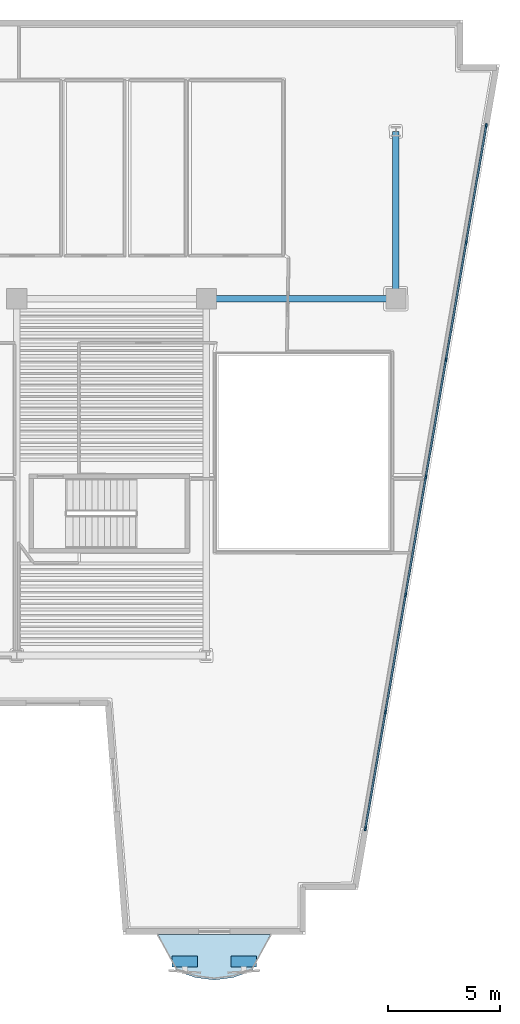
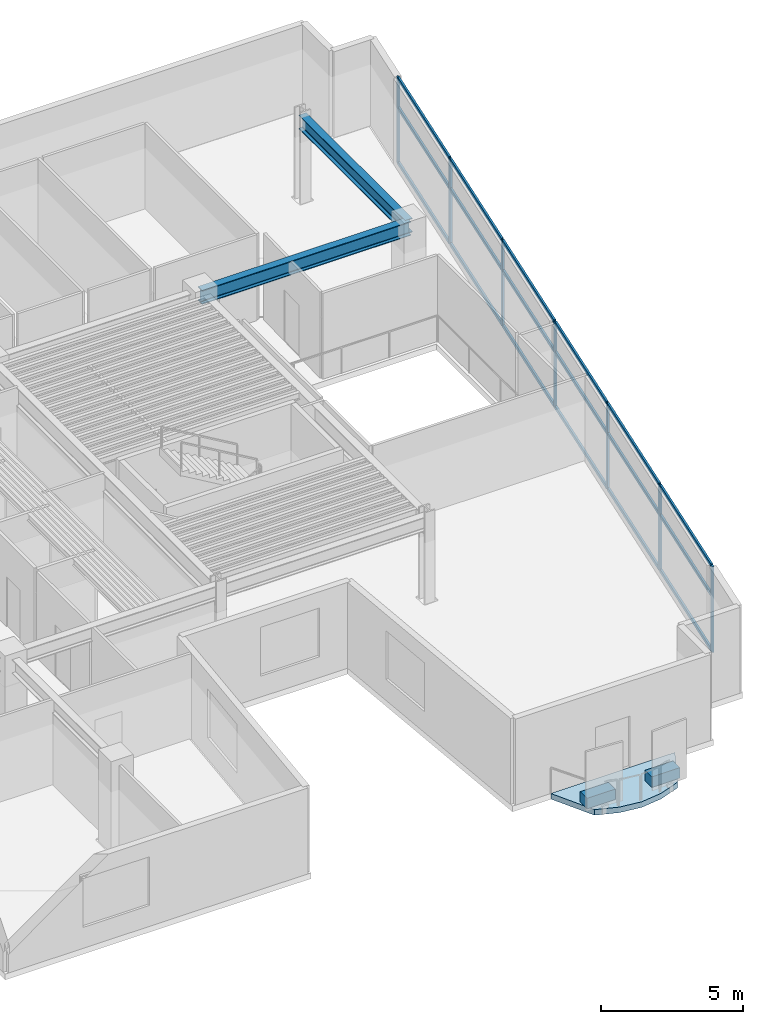
# One storey, part 2 of 10: 25 members, 2 beams, 2 plates, 1 slab, 1 element without a shape of its own.
"""IFC4 building model written with IfcOpenShell, lengths in metres."""

from ifc_helpers import new_model, si_unit, direction, frame, origin, origin_2d, place, context, subcontext, project, spatial, polyline, rectangle, i_section, outline, extrude, material, layer, layer_set, material_profile, profile_set, type_object, element, aggregate, save


model = new_model("IFC4")

# Units and contexts
model_context = context("Model", 3, precision=1e-05, world=origin(), true_north=direction((0.0, 1.0)))
body_context = subcontext(model_context, "Body", "Model", "MODEL_VIEW")
ifc_project = project(units=[si_unit("LENGTHUNIT", "METRE"), si_unit("AREAUNIT", "SQUARE_METRE"), si_unit("VOLUMEUNIT", "CUBIC_METRE"), si_unit("PLANEANGLEUNIT", "RADIAN"), si_unit("MASSUNIT", "GRAM", prefix="KILO")], contexts=[model_context])

# Site, building, storey
site_placement = place(None, origin())
site = spatial("IfcSite", under=ifc_project, at=site_placement, CompositionType="ELEMENT")
building_placement = place(site_placement, origin())
building = spatial("IfcBuilding", under=site, at=building_placement, Name="Caeloran Harvest Quay", CompositionType="ELEMENT")
storey_placement = place(building_placement, frame((0.0, 0.0, 187.699951171875)))
storey = spatial("IfcBuildingStorey", under=building, at=storey_placement, Name="L44", CompositionType="ELEMENT", Elevation=187.699951171875)

# Beams
ifc_material_1 = material(Name="Steel S355J2", Category="steel")
ifc_material_profile_1 = material_profile(ifc_material_1, i_section(OverallWidth=0.300048828125, OverallDepth=0.60009765625, WebThickness=0.015380859375, FlangeThickness=0.030029296875, FilletRadius=0.027099609375, at=origin_2d()), Name="HE 600 B")
ifc_profile_set_1 = profile_set([ifc_material_profile_1], Name="Steel S355J2")
beam_type = type_object("IfcBeamType", Name="BM-PG-3-HE_600_B", PredefinedType="BEAM", material=ifc_profile_set_1)
beam_1_placement = place(storey_placement, frame((34.0, 31.0, 3.400146484375), z_axis=(1.0, 0.0, 0.0), x_axis=(0.0, 1.0, 0.0)))
element("IfcBeam", 1, at=beam_1_placement, inside=storey, type_object=beam_type, Name="L44 Primary East-West Girder Y=31.0", PredefinedType="BEAM", context=body_context, shape_type="SweptSolid", body=[
    extrude(i_section(OverallWidth=0.300048828125, OverallDepth=0.60009765625, WebThickness=0.015380859375, FlangeThickness=0.030029296875, FilletRadius=0.027099609375, at=origin_2d()), origin(), (0.0, 0.0, 1.0), 8.5),
])
beam_2_placement = place(storey_placement, frame((42.5, 31.0, 3.400146484375), z_axis=(0.0, 1.0, 0.0), x_axis=(-1.0, 0.0, 0.0)))
element("IfcBeam", 2, at=beam_2_placement, inside=storey, type_object=beam_type, Name="L44 Primary North-South Girder X=42.5", PredefinedType="BEAM", context=body_context, shape_type="SweptSolid", body=[
    extrude(i_section(OverallWidth=0.300048828125, OverallDepth=0.60009765625, WebThickness=0.015380859375, FlangeThickness=0.030029296875, FilletRadius=0.027099609375, at=origin_2d()), origin(), (0.0, 0.0, 1.0), 7.5),
])

# Curtain wall, members
ifc_material_2 = material(Name="Aluminium 6063-T6 and Low-E Glazing", Category="aluminium")
ifc_layer_1 = layer(ifc_material_2, 0.2099609375, Name="Aluminium 6063-T6 and Low-E Glazing")
ifc_layer_set_1 = layer_set([ifc_layer_1], Name="Aluminium 6063-T6 and Low-E Glazing")
curtain_wall_type = type_object("IfcCurtainWallType", Name="CW-SYS-CW-4", PredefinedType="USERDEFINED", material=ifc_layer_set_1)
curtain_wall_placement = place(storey_placement, origin())
curtain_wall = element("IfcCurtainWall", 3, at=curtain_wall_placement, inside=storey, type_object=curtain_wall_type, Name="L44 Unitised Curtain Wall CW-4 Run 9", ObjectType="CURTAIN_WALL", PredefinedType="USERDEFINED")
ifc_material_3 = material(Name="Aluminium 6063-T6", Category="aluminium")
ifc_material_profile_2 = material_profile(ifc_material_3, rectangle(XDim=0.080078125, YDim=0.179931640625, at=origin_2d()), Name="CW-MULLION-180")
ifc_profile_set_2 = profile_set([ifc_material_profile_2], Name="Aluminium 6063-T6")
member_type_1 = type_object("IfcMemberType", Name="CW-MULLION-180", PredefinedType="MULLION", material=ifc_profile_set_2)
member_1_placement = place(storey_placement, frame((46.5546875, 38.76806640625, 0.0), z_axis=(0.0, 0.0, 1.0), x_axis=(0.985548695604, -0.169392351048, 0.0)))
member_1 = element("IfcMember", 4, at=member_1_placement, type_object=member_type_1, Name="CW-4 mullion 1", PredefinedType="MULLION", context=body_context, shape_type="SweptSolid", body=[
    extrude(rectangle(XDim=0.080078125, YDim=0.179931640625, at=origin_2d()), origin(), (0.0, 0.0, 1.0), 3.699951171875),
])
member_2_placement = place(storey_placement, frame((45.65576171875, 33.538330078125, 0.0), z_axis=(0.0, 0.0, 1.0), x_axis=(0.985548695604, -0.169392351048, 0.0)))
member_2 = element("IfcMember", 5, at=member_2_placement, type_object=member_type_1, Name="CW-4 mullion 2", PredefinedType="MULLION", context=body_context, shape_type="SweptSolid", body=[
    extrude(rectangle(XDim=0.080078125, YDim=0.179931640625, at=origin_2d()), origin(), (0.0, 0.0, 1.0), 3.699951171875),
])
member_3_placement = place(storey_placement, frame((44.750244140625, 28.269287109375, 0.0), z_axis=(0.0, 0.0, 1.0), x_axis=(0.985548695604, -0.169392351048, 0.0)))
member_3 = element("IfcMember", 6, at=member_3_placement, type_object=member_type_1, Name="CW-4 mullion 3", PredefinedType="MULLION", context=body_context, shape_type="SweptSolid", body=[
    extrude(rectangle(XDim=0.080078125, YDim=0.179931640625, at=origin_2d()), origin(), (0.0, 0.0, 1.0), 3.699951171875),
])
member_4_placement = place(storey_placement, frame((43.844482421875, 23.0, 0.0), z_axis=(0.0, 0.0, 1.0), x_axis=(0.985548695604, -0.169392351048, 0.0)))
member_4 = element("IfcMember", 7, at=member_4_placement, type_object=member_type_1, Name="CW-4 mullion 4", PredefinedType="MULLION", context=body_context, shape_type="SweptSolid", body=[
    extrude(rectangle(XDim=0.080078125, YDim=0.179931640625, at=origin_2d()), origin(), (0.0, 0.0, 1.0), 3.699951171875),
])
member_5_placement = place(storey_placement, frame((42.93896484375, 17.730712890625, 0.0), z_axis=(0.0, 0.0, 1.0), x_axis=(0.985548695604, -0.169392351048, 0.0)))
member_5 = element("IfcMember", 8, at=member_5_placement, type_object=member_type_1, Name="CW-4 mullion 5", PredefinedType="MULLION", context=body_context, shape_type="SweptSolid", body=[
    extrude(rectangle(XDim=0.080078125, YDim=0.179931640625, at=origin_2d()), origin(), (0.0, 0.0, 1.0), 3.699951171875),
])
member_6_placement = place(storey_placement, frame((42.033203125, 12.461669921875, 0.0), z_axis=(0.0, 0.0, 1.0), x_axis=(0.985548695604, -0.169392351048, 0.0)))
member_6 = element("IfcMember", 9, at=member_6_placement, type_object=member_type_1, Name="CW-4 mullion 6", PredefinedType="MULLION", context=body_context, shape_type="SweptSolid", body=[
    extrude(rectangle(XDim=0.080078125, YDim=0.179931640625, at=origin_2d()), origin(), (0.0, 0.0, 1.0), 3.699951171875),
])
member_7_placement = place(storey_placement, frame((41.13427734375, 7.23193359375, 0.0), z_axis=(0.0, 0.0, 1.0), x_axis=(0.985548695604, -0.169392351048, 0.0)))
member_7 = element("IfcMember", 10, at=member_7_placement, type_object=member_type_1, Name="CW-4 mullion 7", PredefinedType="MULLION", context=body_context, shape_type="SweptSolid", body=[
    extrude(rectangle(XDim=0.080078125, YDim=0.179931640625, at=origin_2d()), origin(), (0.0, 0.0, 1.0), 3.699951171875),
])
ifc_material_profile_3 = material_profile(ifc_material_3, rectangle(XDim=0.080078125, YDim=0.14990234375, at=origin_2d()), Name="CW-TRANSOM-150")
ifc_profile_set_3 = profile_set([ifc_material_profile_3], Name="Aluminium 6063-T6")
member_type_2 = type_object("IfcMemberType", Name="CW-TRANSOM-150", PredefinedType="USERDEFINED", material=ifc_profile_set_3)
member_8_placement = place(storey_placement, frame((46.5478515625, 38.728759765625, 0.0400390625), z_axis=(-0.169381290327, -0.985550596614, 0.0), x_axis=(0.985550596614, -0.169381290327, 0.0)))
member_8 = element("IfcMember", 11, at=member_8_placement, type_object=member_type_2, Name="CW-4 transom 1.1", ObjectType="TRANSOM", PredefinedType="USERDEFINED", context=body_context, shape_type="SweptSolid", body=[
    extrude(rectangle(XDim=0.080078125, YDim=0.14990234375, at=origin_2d()), origin(), (0.0, 0.0, 1.0), 5.226318359375),
])
member_9_placement = place(storey_placement, frame((46.5478515625, 38.728759765625, 2.400146484375), z_axis=(-0.169381290327, -0.985550596614, 0.0), x_axis=(0.985550596614, -0.169381290327, 0.0)))
member_9 = element("IfcMember", 12, at=member_9_placement, type_object=member_type_2, Name="CW-4 transom 1.2", ObjectType="TRANSOM", PredefinedType="USERDEFINED", context=body_context, shape_type="SweptSolid", body=[
    extrude(rectangle(XDim=0.080078125, YDim=0.14990234375, at=origin_2d()), origin(), (0.0, 0.0, 1.0), 5.226318359375),
])
member_10_placement = place(storey_placement, frame((46.5478515625, 38.728759765625, 3.66015625), z_axis=(-0.169381290327, -0.985550596614, 0.0), x_axis=(0.985550596614, -0.169381290327, 0.0)))
member_10 = element("IfcMember", 13, at=member_10_placement, type_object=member_type_2, Name="CW-4 transom 1.3", ObjectType="TRANSOM", PredefinedType="USERDEFINED", context=body_context, shape_type="SweptSolid", body=[
    extrude(rectangle(XDim=0.080078125, YDim=0.14990234375, at=origin_2d()), origin(), (0.0, 0.0, 1.0), 5.226318359375),
])
member_11_placement = place(storey_placement, frame((45.649169921875, 33.4990234375, 0.0400390625), z_axis=(-0.169388401421, -0.985549374442, 0.0), x_axis=(0.985549374442, -0.169388401421, 0.0)))
member_11 = element("IfcMember", 14, at=member_11_placement, type_object=member_type_2, Name="CW-4 transom 2.1", ObjectType="TRANSOM", PredefinedType="USERDEFINED", context=body_context, shape_type="SweptSolid", body=[
    extrude(rectangle(XDim=0.080078125, YDim=0.14990234375, at=origin_2d()), origin(), (0.0, 0.0, 1.0), 5.2666015625),
])
member_12_placement = place(storey_placement, frame((45.649169921875, 33.4990234375, 2.400146484375), z_axis=(-0.169388401421, -0.985549374442, 0.0), x_axis=(0.985549374442, -0.169388401421, 0.0)))
member_12 = element("IfcMember", 15, at=member_12_placement, type_object=member_type_2, Name="CW-4 transom 2.2", ObjectType="TRANSOM", PredefinedType="USERDEFINED", context=body_context, shape_type="SweptSolid", body=[
    extrude(rectangle(XDim=0.080078125, YDim=0.14990234375, at=origin_2d()), origin(), (0.0, 0.0, 1.0), 5.2666015625),
])
member_13_placement = place(storey_placement, frame((45.649169921875, 33.4990234375, 3.66015625), z_axis=(-0.169388401421, -0.985549374442, 0.0), x_axis=(0.985549374442, -0.169388401421, 0.0)))
member_13 = element("IfcMember", 16, at=member_13_placement, type_object=member_type_2, Name="CW-4 transom 2.3", ObjectType="TRANSOM", PredefinedType="USERDEFINED", context=body_context, shape_type="SweptSolid", body=[
    extrude(rectangle(XDim=0.080078125, YDim=0.14990234375, at=origin_2d()), origin(), (0.0, 0.0, 1.0), 5.2666015625),
])
member_14_placement = place(storey_placement, frame((44.743408203125, 28.229736328125, 0.0400390625), z_axis=(-0.169388401421, -0.985549374442, 0.0), x_axis=(0.985549374442, -0.169388401421, 0.0)))
member_14 = element("IfcMember", 17, at=member_14_placement, type_object=member_type_2, Name="CW-4 transom 3.1", ObjectType="TRANSOM", PredefinedType="USERDEFINED", context=body_context, shape_type="SweptSolid", body=[
    extrude(rectangle(XDim=0.080078125, YDim=0.14990234375, at=origin_2d()), origin(), (0.0, 0.0, 1.0), 5.2666015625),
])
member_15_placement = place(storey_placement, frame((44.743408203125, 28.229736328125, 2.400146484375), z_axis=(-0.169388401421, -0.985549374442, 0.0), x_axis=(0.985549374442, -0.169388401421, 0.0)))
member_15 = element("IfcMember", 18, at=member_15_placement, type_object=member_type_2, Name="CW-4 transom 3.2", ObjectType="TRANSOM", PredefinedType="USERDEFINED", context=body_context, shape_type="SweptSolid", body=[
    extrude(rectangle(XDim=0.080078125, YDim=0.14990234375, at=origin_2d()), origin(), (0.0, 0.0, 1.0), 5.2666015625),
])
member_16_placement = place(storey_placement, frame((44.743408203125, 28.229736328125, 3.66015625), z_axis=(-0.169388401421, -0.985549374442, 0.0), x_axis=(0.985549374442, -0.169388401421, 0.0)))
member_16 = element("IfcMember", 19, at=member_16_placement, type_object=member_type_2, Name="CW-4 transom 3.3", ObjectType="TRANSOM", PredefinedType="USERDEFINED", context=body_context, shape_type="SweptSolid", body=[
    extrude(rectangle(XDim=0.080078125, YDim=0.14990234375, at=origin_2d()), origin(), (0.0, 0.0, 1.0), 5.2666015625),
])
member_17_placement = place(storey_placement, frame((43.837890625, 22.960693359375, 0.0400390625), z_axis=(-0.169433427775, -0.985541634611, 0.0), x_axis=(0.985541634611, -0.169433427775, 0.0)))
member_17 = element("IfcMember", 20, at=member_17_placement, type_object=member_type_2, Name="CW-4 transom 4.1", ObjectType="TRANSOM", PredefinedType="USERDEFINED", context=body_context, shape_type="SweptSolid", body=[
    extrude(rectangle(XDim=0.080078125, YDim=0.14990234375, at=origin_2d()), origin(), (0.0, 0.0, 1.0), 5.2666015625),
])
member_18_placement = place(storey_placement, frame((43.837890625, 22.960693359375, 2.400146484375), z_axis=(-0.169433427775, -0.985541634611, 0.0), x_axis=(0.985541634611, -0.169433427775, 0.0)))
member_18 = element("IfcMember", 21, at=member_18_placement, type_object=member_type_2, Name="CW-4 transom 4.2", ObjectType="TRANSOM", PredefinedType="USERDEFINED", context=body_context, shape_type="SweptSolid", body=[
    extrude(rectangle(XDim=0.080078125, YDim=0.14990234375, at=origin_2d()), origin(), (0.0, 0.0, 1.0), 5.2666015625),
])
member_19_placement = place(storey_placement, frame((43.837890625, 22.960693359375, 3.66015625), z_axis=(-0.169433427775, -0.985541634611, 0.0), x_axis=(0.985541634611, -0.169433427775, 0.0)))
member_19 = element("IfcMember", 22, at=member_19_placement, type_object=member_type_2, Name="CW-4 transom 4.3", ObjectType="TRANSOM", PredefinedType="USERDEFINED", context=body_context, shape_type="SweptSolid", body=[
    extrude(rectangle(XDim=0.080078125, YDim=0.14990234375, at=origin_2d()), origin(), (0.0, 0.0, 1.0), 5.2666015625),
])
member_20_placement = place(storey_placement, frame((42.93212890625, 17.69140625, 0.0400390625), z_axis=(-0.169388401421, -0.985549374442, 0.0), x_axis=(0.985549374442, -0.169388401421, 0.0)))
member_20 = element("IfcMember", 23, at=member_20_placement, type_object=member_type_2, Name="CW-4 transom 5.1", ObjectType="TRANSOM", PredefinedType="USERDEFINED", context=body_context, shape_type="SweptSolid", body=[
    extrude(rectangle(XDim=0.080078125, YDim=0.14990234375, at=origin_2d()), origin(), (0.0, 0.0, 1.0), 5.2666015625),
])
member_21_placement = place(storey_placement, frame((42.93212890625, 17.69140625, 2.400146484375), z_axis=(-0.169388401421, -0.985549374442, 0.0), x_axis=(0.985549374442, -0.169388401421, 0.0)))
member_21 = element("IfcMember", 24, at=member_21_placement, type_object=member_type_2, Name="CW-4 transom 5.2", ObjectType="TRANSOM", PredefinedType="USERDEFINED", context=body_context, shape_type="SweptSolid", body=[
    extrude(rectangle(XDim=0.080078125, YDim=0.14990234375, at=origin_2d()), origin(), (0.0, 0.0, 1.0), 5.2666015625),
])
member_22_placement = place(storey_placement, frame((42.93212890625, 17.69140625, 3.66015625), z_axis=(-0.169388401421, -0.985549374442, 0.0), x_axis=(0.985549374442, -0.169388401421, 0.0)))
member_22 = element("IfcMember", 25, at=member_22_placement, type_object=member_type_2, Name="CW-4 transom 5.3", ObjectType="TRANSOM", PredefinedType="USERDEFINED", context=body_context, shape_type="SweptSolid", body=[
    extrude(rectangle(XDim=0.080078125, YDim=0.14990234375, at=origin_2d()), origin(), (0.0, 0.0, 1.0), 5.2666015625),
])
member_23_placement = place(storey_placement, frame((42.0263671875, 12.422119140625, 0.0400390625), z_axis=(-0.169381290327, -0.985550596614, 0.0), x_axis=(0.985550596614, -0.169381290327, 0.0)))
member_23 = element("IfcMember", 26, at=member_23_placement, type_object=member_type_2, Name="CW-4 transom 6.1", ObjectType="TRANSOM", PredefinedType="USERDEFINED", context=body_context, shape_type="SweptSolid", body=[
    extrude(rectangle(XDim=0.080078125, YDim=0.14990234375, at=origin_2d()), origin(), (0.0, 0.0, 1.0), 5.226318359375),
])
member_24_placement = place(storey_placement, frame((42.0263671875, 12.422119140625, 2.400146484375), z_axis=(-0.169381290327, -0.985550596614, 0.0), x_axis=(0.985550596614, -0.169381290327, 0.0)))
member_24 = element("IfcMember", 27, at=member_24_placement, type_object=member_type_2, Name="CW-4 transom 6.2", ObjectType="TRANSOM", PredefinedType="USERDEFINED", context=body_context, shape_type="SweptSolid", body=[
    extrude(rectangle(XDim=0.080078125, YDim=0.14990234375, at=origin_2d()), origin(), (0.0, 0.0, 1.0), 5.226318359375),
])
member_25_placement = place(storey_placement, frame((42.0263671875, 12.422119140625, 3.66015625), z_axis=(-0.169381290327, -0.985550596614, 0.0), x_axis=(0.985550596614, -0.169381290327, 0.0)))
member_25 = element("IfcMember", 28, at=member_25_placement, type_object=member_type_2, Name="CW-4 transom 6.3", ObjectType="TRANSOM", PredefinedType="USERDEFINED", context=body_context, shape_type="SweptSolid", body=[
    extrude(rectangle(XDim=0.080078125, YDim=0.14990234375, at=origin_2d()), origin(), (0.0, 0.0, 1.0), 5.226318359375),
])
aggregate(curtain_wall, [member_1, member_2, member_3, member_4, member_5, member_6, member_7, member_8, member_9, member_10, member_11, member_12, member_13, member_14, member_15, member_16, member_17, member_18, member_19, member_20, member_21, member_22, member_23, member_24, member_25])

# Slab
ifc_material_4 = material(Name="Concrete C50/60", Category="concrete")
ifc_layer_2 = layer(ifc_material_4, 0.239990234375, Name="Concrete C50/60")
ifc_layer_set_2 = layer_set([ifc_layer_2], Name="Concrete C50/60")
slab_type = type_object("IfcSlabType", Name="BALCONY-BL-240", PredefinedType="FLOOR", material=ifc_layer_set_2)
slab_placement = place(storey_placement, frame((0.0, 0.0, -0.239990234375)))
element("IfcSlab", 29, at=slab_placement, inside=storey, type_object=slab_type, Name="L44 Scalloped Cantilevered Planted Balcony Slab", PredefinedType="FLOOR", context=body_context, shape_type="SweptSolid", body=[
    extrude(outline(polyline([(36.048828125, 0.86669921875), (35.20263671875, 0.56396484375), (34.3564453125, 0.453125), (33.51025390625, 0.56396484375), (32.664306640625, 0.86669921875), (31.828125, 2.5), (36.884765625, 2.5), (36.048828125, 0.86669921875)])), origin(), (0.0, 0.0, 1.0), 0.239990234375),
])

# Plates
ifc_material_5 = material(Name="Precast concrete C50/60", Category="concrete")
ifc_layer_3 = layer(ifc_material_5, 0.449951171875, Name="Precast concrete C50/60")
ifc_layer_set_3 = layer_set([ifc_layer_3], Name="Precast concrete C50/60")
plate_type = type_object("IfcPlateType", Name="PLANTER-TROUGH-450", PredefinedType="USERDEFINED", material=ifc_layer_set_3)
for number, where, z_axis, x_axis, name in (
    (30, (35.676513671875, 1.280517578125, 0.0), (0.0, 0.0, 1.0), (1.0, 0.0, 0.0), "L44 Balcony Vertical-Greenery Precast PLANTER Trough 1"),
    (31, (33.03662109375, 1.280517578125, 0.0), (0.0, 0.0, 1.0), (1.0, 0.0, 0.0), "L44 Balcony Vertical-Greenery Precast PLANTER Trough 2"),
):
    element("IfcPlate", number, at=place(storey_placement, frame(where, z_axis=z_axis, x_axis=x_axis)), inside=storey, type_object=plate_type, Name=name, ObjectType="PLANTER", PredefinedType="USERDEFINED", context=body_context, shape_type="SweptSolid", body=[
        extrude(rectangle(XDim=1.14990234375, YDim=0.47998046875, at=origin_2d()), origin(), (0.0, 0.0, 1.0), 0.449951171875),
    ])

save(model, "model.ifc")
